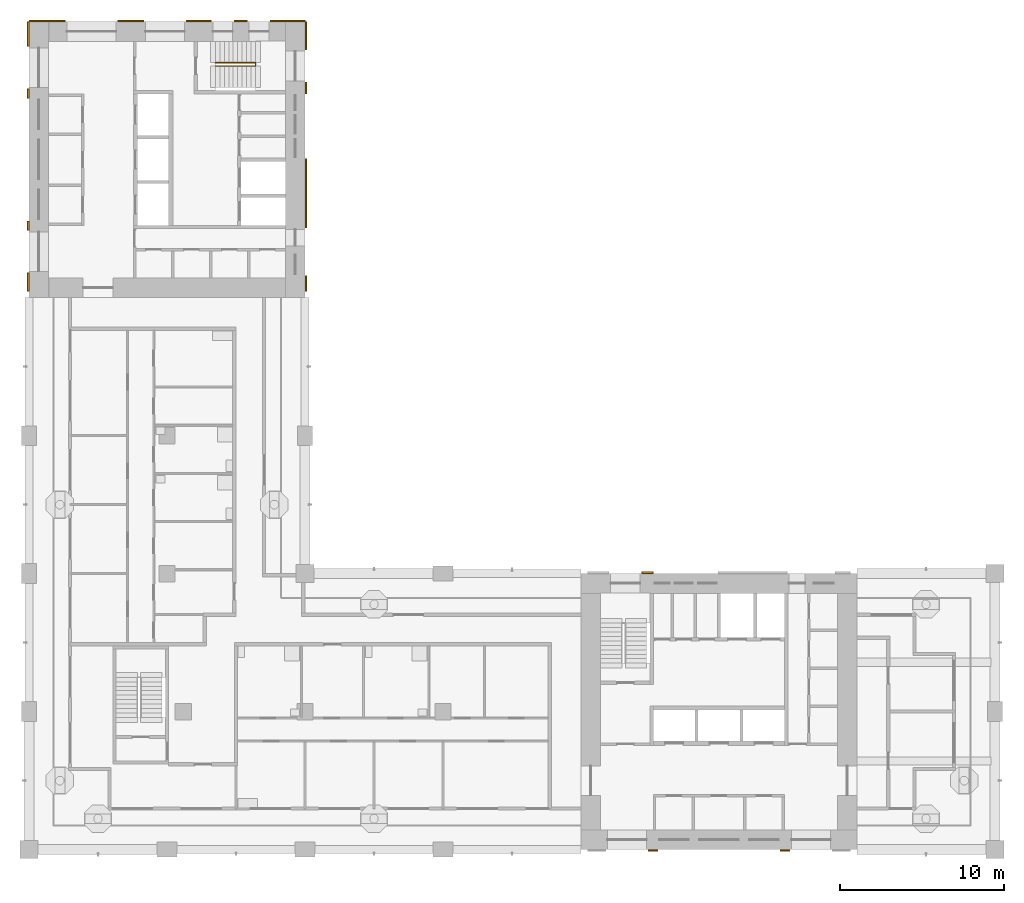
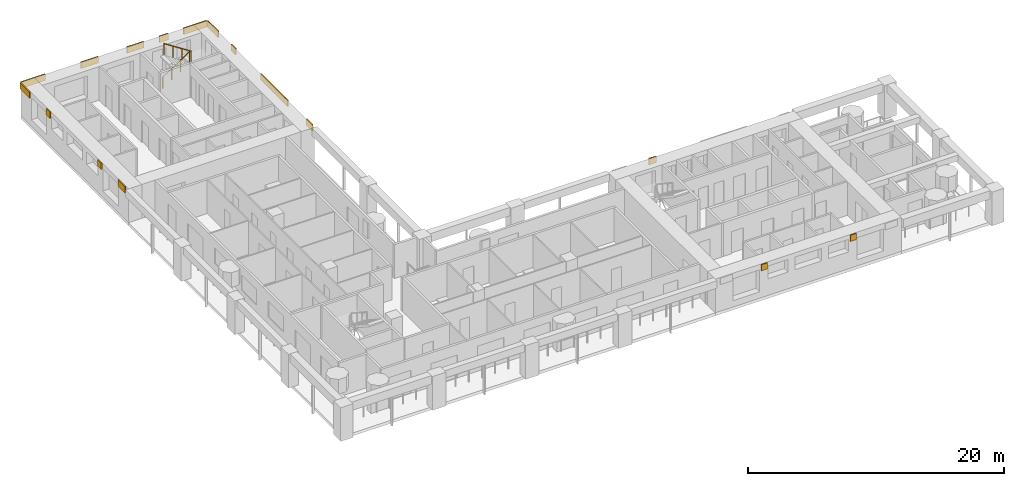
# One storey, part 10 of 13: 16 shading devices, 1 railing.
"""IFC4 building model written with IfcOpenShell, lengths in metres."""

from ifc_helpers import new_model, si_unit, direction, frame, origin, origin_2d, place, context, subcontext, project, spatial, rectangle, circle, extrude, material, layer, layer_set, type_object, element, save


model = new_model("IFC4")

# Units and contexts
model_context = context("Model", 3, precision=1e-05, world=origin(), true_north=direction((0.0, 1.0)))
body_context = subcontext(model_context, "Body", "Model", "MODEL_VIEW")
ifc_project = project(units=[si_unit("LENGTHUNIT", "METRE"), si_unit("AREAUNIT", "SQUARE_METRE"), si_unit("VOLUMEUNIT", "CUBIC_METRE"), si_unit("PLANEANGLEUNIT", "RADIAN"), si_unit("MASSUNIT", "GRAM", prefix="KILO")], contexts=[model_context])

# Site, building, storey
site_placement = place(None, origin())
site = spatial("IfcSite", under=ifc_project, at=site_placement, CompositionType="ELEMENT")
building_placement = place(site_placement, origin())
building = spatial("IfcBuilding", under=site, at=building_placement, Name="Vermilion Gate Residences", CompositionType="ELEMENT")
storey_placement = place(building_placement, frame((0.0, 0.0, 161.699951171875)))
storey = spatial("IfcBuildingStorey", under=building, at=storey_placement, Name="L41", CompositionType="ELEMENT", Elevation=161.699951171875)

# Railing
ifc_material_1 = material(Name="Steel S355", Category="steel")
railing_type = type_object("IfcRailingType", Name="STAIR GUARD 1100 STEEL", PredefinedType="GUARDRAIL", material=ifc_material_1)
railing_placement = place(storey_placement, frame((19.75, 56.300048828125, 0.175048828125)))
element("IfcRailing", 1, at=railing_placement, inside=storey, type_object=railing_type, Name="Stair well guard STB1-41", PredefinedType="GUARDRAIL", context=body_context, shape_type="SweptSolid", body=[
    extrude(circle(Radius=0.02392578125, at=origin_2d()), frame((0.0, 0.0, 1.076171875), z_axis=(0.839153699163, 0.0, 0.543894354798), x_axis=(0.0, 1.0, 0.0)), (0.0, 0.0, 1.0), 2.895751953125),
    extrude(circle(Radius=0.02392578125, at=origin_2d()), frame((2.429931640625, 0.0, 2.65087890625), z_axis=(0.0, -0.752405939678, 0.658699705433), x_axis=(1.0, 0.0, 0.0)), (0.0, 0.0, 1.0), 0.265869140625),
    extrude(circle(Radius=0.02392578125, at=origin_2d()), frame((2.429931640625, -0.199951171875, 2.826171875), z_axis=(-0.839153699163, 0.0, 0.543894354798), x_axis=(0.0, -1.0, 0.0)), (0.0, 0.0, 1.0), 2.895751953125),
    extrude(circle(Radius=0.02099609375, at=origin_2d()), origin(), (0.0, 0.0, 1.0), 1.052001953125),
    extrude(circle(Radius=0.02099609375, at=origin_2d()), frame((0.81005859375, 0.0, 0.52490234375)), (0.0, 0.0, 1.0), 1.052001953125),
    extrude(circle(Radius=0.02099609375, at=origin_2d()), frame((1.619873046875, 0.0, 1.050048828125)), (0.0, 0.0, 1.0), 1.052001953125),
    extrude(circle(Radius=0.02099609375, at=origin_2d()), frame((2.429931640625, 0.0, 1.574951171875)), (0.0, 0.0, 1.0), 1.052001953125),
    extrude(circle(Radius=0.02099609375, at=origin_2d()), frame((2.429931640625, -0.199951171875, 1.75)), (0.0, 0.0, 1.0), 1.052001953125),
    extrude(circle(Radius=0.02099609375, at=origin_2d()), frame((1.619873046875, -0.199951171875, 2.27490234375)), (0.0, 0.0, 1.0), 1.052001953125),
    extrude(circle(Radius=0.02099609375, at=origin_2d()), frame((0.81005859375, -0.199951171875, 2.800048828125)), (0.0, 0.0, 1.0), 1.052001953125),
    extrude(circle(Radius=0.02099609375, at=origin_2d()), frame((0.0, -0.199951171875, 3.324951171875)), (0.0, 0.0, 1.0), 1.052001953125),
])

# Shading devices
ifc_material_2 = material(Name="Extruded terracotta", Category="masonry")
ifc_layer = layer(ifc_material_2, 0.10009765625)
ifc_layer_set = layer_set([ifc_layer], Name="TERRACOTTA SPANDREL BAND 600 X 100")
shading_device_type = type_object("IfcShadingDeviceType", Name="TERRACOTTA SPANDREL BAND 600 X 100", PredefinedType="USERDEFINED", material=ifc_layer_set)
for number, where, z_axis, x_axis, name in (
    (2, (46.3798828125, 8.35009765625, 2.6201171875), (0.0, 0.0, 1.0), (1.0, 0.0, 0.0), "SPANDREL BAND"),
    (3, (54.419921875, 8.35009765625, 2.6201171875), (0.0, 0.0, 1.0), (1.0, 0.0, 0.0), "SPANDREL BAND"),
):
    element("IfcShadingDevice", number, at=place(storey_placement, frame(where, z_axis=z_axis, x_axis=x_axis)), inside=storey, type_object=shading_device_type, Name=name, ObjectType="BAND", PredefinedType="USERDEFINED", context=body_context, shape_type="SweptSolid", body=[
        extrude(rectangle(XDim=0.56005859375, YDim=0.10009765625, at=origin_2d()), origin(), (0.0, 0.0, 1.0), 0.60009765625),
    ])
shading_device_1_placement = place(storey_placement, frame((46.044921875, 25.25, 2.6201171875), z_axis=(0.0, 0.0, 1.0), x_axis=(1.0, 0.0, 0.0)))
element("IfcShadingDevice", 4, at=shading_device_1_placement, inside=storey, type_object=shading_device_type, Name="SPANDREL BAND", ObjectType="BAND", PredefinedType="USERDEFINED", context=body_context, shape_type="SweptSolid", body=[
    extrude(rectangle(XDim=0.68994140625, YDim=0.10009765625, at=origin_2d()), origin(), (0.0, 0.0, 1.0), 0.60009765625),
])
shading_device_2_placement = place(storey_placement, frame((9.50244140625, 58.85009765625, 2.6201171875), z_axis=(0.0, 0.0, 1.0), x_axis=(1.0, 0.0, 0.0)))
element("IfcShadingDevice", 5, at=shading_device_2_placement, inside=storey, type_object=shading_device_type, Name="SPANDREL BAND", ObjectType="BAND", PredefinedType="USERDEFINED", context=body_context, shape_type="SweptSolid", body=[
    extrude(rectangle(XDim=2.205078125, YDim=0.10009765625, at=origin_2d()), origin(), (0.0, 0.0, 1.0), 0.60009765625),
])
shading_device_3_placement = place(storey_placement, frame((14.590087890625, 58.85009765625, 2.6201171875), z_axis=(0.0, 0.0, 1.0), x_axis=(1.0, 0.0, 0.0)))
element("IfcShadingDevice", 6, at=shading_device_3_placement, inside=storey, type_object=shading_device_type, Name="SPANDREL BAND", ObjectType="BAND", PredefinedType="USERDEFINED", context=body_context, shape_type="SweptSolid", body=[
    extrude(rectangle(XDim=1.570068359375, YDim=0.10009765625, at=origin_2d()), origin(), (0.0, 0.0, 1.0), 0.60009765625),
])
shading_device_4_placement = place(storey_placement, frame((18.734130859375, 58.85009765625, 2.6201171875), z_axis=(0.0, 0.0, 1.0), x_axis=(1.0, 0.0, 0.0)))
element("IfcShadingDevice", 7, at=shading_device_4_placement, inside=storey, type_object=shading_device_type, Name="SPANDREL BAND", ObjectType="BAND", PredefinedType="USERDEFINED", context=body_context, shape_type="SweptSolid", body=[
    extrude(rectangle(XDim=1.518310546875, YDim=0.10009765625, at=origin_2d()), origin(), (0.0, 0.0, 1.0), 0.60009765625),
])
shading_device_5_placement = place(storey_placement, frame((21.294921875, 58.85009765625, 2.6201171875), z_axis=(0.0, 0.0, 1.0), x_axis=(1.0, 0.0, 0.0)))
element("IfcShadingDevice", 8, at=shading_device_5_placement, inside=storey, type_object=shading_device_type, Name="SPANDREL BAND", ObjectType="BAND", PredefinedType="USERDEFINED", context=body_context, shape_type="SweptSolid", body=[
    extrude(rectangle(XDim=0.803466796875, YDim=0.10009765625, at=origin_2d()), origin(), (0.0, 0.0, 1.0), 0.60009765625),
])
shading_device_6_placement = place(storey_placement, frame((24.1484375, 58.85009765625, 2.6201171875), z_axis=(0.0, 0.0, 1.0), x_axis=(1.0, 0.0, 0.0)))
element("IfcShadingDevice", 9, at=shading_device_6_placement, inside=storey, type_object=shading_device_type, Name="SPANDREL BAND", ObjectType="BAND", PredefinedType="USERDEFINED", context=body_context, shape_type="SweptSolid", body=[
    extrude(rectangle(XDim=2.103271484375, YDim=0.10009765625, at=origin_2d()), origin(), (0.0, 0.0, 1.0), 0.60009765625),
])
shading_device_7_placement = place(storey_placement, frame((8.35009765625, 42.949951171875, 2.6201171875), z_axis=(0.0, 0.0, 1.0), x_axis=(0.0, 1.0, 0.0)))
element("IfcShadingDevice", 10, at=shading_device_7_placement, inside=storey, type_object=shading_device_type, Name="SPANDREL BAND", ObjectType="BAND", PredefinedType="USERDEFINED", context=body_context, shape_type="SweptSolid", body=[
    extrude(rectangle(XDim=1.10009765625, YDim=0.10009765625, at=origin_2d()), origin(), (0.0, 0.0, 1.0), 0.60009765625),
])
for number, where, z_axis, x_axis, name in (
    (11, (8.35009765625, 46.3798828125, 2.6201171875), (0.0, 0.0, 1.0), (0.0, 1.0, 0.0), "SPANDREL BAND"),
    (12, (8.35009765625, 54.419921875, 2.6201171875), (0.0, 0.0, 1.0), (0.0, 1.0, 0.0), "SPANDREL BAND"),
):
    element("IfcShadingDevice", number, at=place(storey_placement, frame(where, z_axis=z_axis, x_axis=x_axis)), inside=storey, type_object=shading_device_type, Name=name, ObjectType="BAND", PredefinedType="USERDEFINED", context=body_context, shape_type="SweptSolid", body=[
        extrude(rectangle(XDim=0.56005859375, YDim=0.10009765625, at=origin_2d()), origin(), (0.0, 0.0, 1.0), 0.60009765625),
    ])
shading_device_8_placement = place(storey_placement, frame((8.35009765625, 58.050048828125, 2.6201171875), z_axis=(0.0, 0.0, 1.0), x_axis=(0.0, 1.0, 0.0)))
element("IfcShadingDevice", 13, at=shading_device_8_placement, inside=storey, type_object=shading_device_type, Name="SPANDREL BAND", ObjectType="BAND", PredefinedType="USERDEFINED", context=body_context, shape_type="SweptSolid", body=[
    extrude(rectangle(XDim=1.5, YDim=0.10009765625, at=origin_2d()), origin(), (0.0, 0.0, 1.0), 0.60009765625),
])
shading_device_9_placement = place(storey_placement, frame((25.25, 42.862548828125, 2.6201171875), z_axis=(0.0, 0.0, 1.0), x_axis=(0.0, 1.0, 0.0)))
element("IfcShadingDevice", 14, at=shading_device_9_placement, inside=storey, type_object=shading_device_type, Name="SPANDREL BAND", ObjectType="BAND", PredefinedType="USERDEFINED", context=body_context, shape_type="SweptSolid", body=[
    extrude(rectangle(XDim=0.925048828125, YDim=0.10009765625, at=origin_2d()), origin(), (0.0, 0.0, 1.0), 0.60009765625),
])
shading_device_10_placement = place(storey_placement, frame((25.25, 48.35009765625, 2.6201171875), z_axis=(0.0, 0.0, 1.0), x_axis=(0.0, 1.0, 0.0)))
element("IfcShadingDevice", 15, at=shading_device_10_placement, inside=storey, type_object=shading_device_type, Name="SPANDREL BAND", ObjectType="BAND", PredefinedType="USERDEFINED", context=body_context, shape_type="SweptSolid", body=[
    extrude(rectangle(XDim=4.199951171875, YDim=0.10009765625, at=origin_2d()), origin(), (0.0, 0.0, 1.0), 0.60009765625),
])
shading_device_11_placement = place(storey_placement, frame((25.25, 54.7548828125, 2.6201171875), z_axis=(0.0, 0.0, 1.0), x_axis=(0.0, 1.0, 0.0)))
element("IfcShadingDevice", 16, at=shading_device_11_placement, inside=storey, type_object=shading_device_type, Name="SPANDREL BAND", ObjectType="BAND", PredefinedType="USERDEFINED", context=body_context, shape_type="SweptSolid", body=[
    extrude(rectangle(XDim=0.68994140625, YDim=0.10009765625, at=origin_2d()), origin(), (0.0, 0.0, 1.0), 0.60009765625),
])
shading_device_12_placement = place(storey_placement, frame((25.25, 57.949951171875, 2.6201171875), z_axis=(0.0, 0.0, 1.0), x_axis=(0.0, 1.0, 0.0)))
element("IfcShadingDevice", 17, at=shading_device_12_placement, inside=storey, type_object=shading_device_type, Name="SPANDREL BAND", ObjectType="BAND", PredefinedType="USERDEFINED", context=body_context, shape_type="SweptSolid", body=[
    extrude(rectangle(XDim=1.699951171875, YDim=0.10009765625, at=origin_2d()), origin(), (0.0, 0.0, 1.0), 0.60009765625),
])

save(model, "model.ifc")
